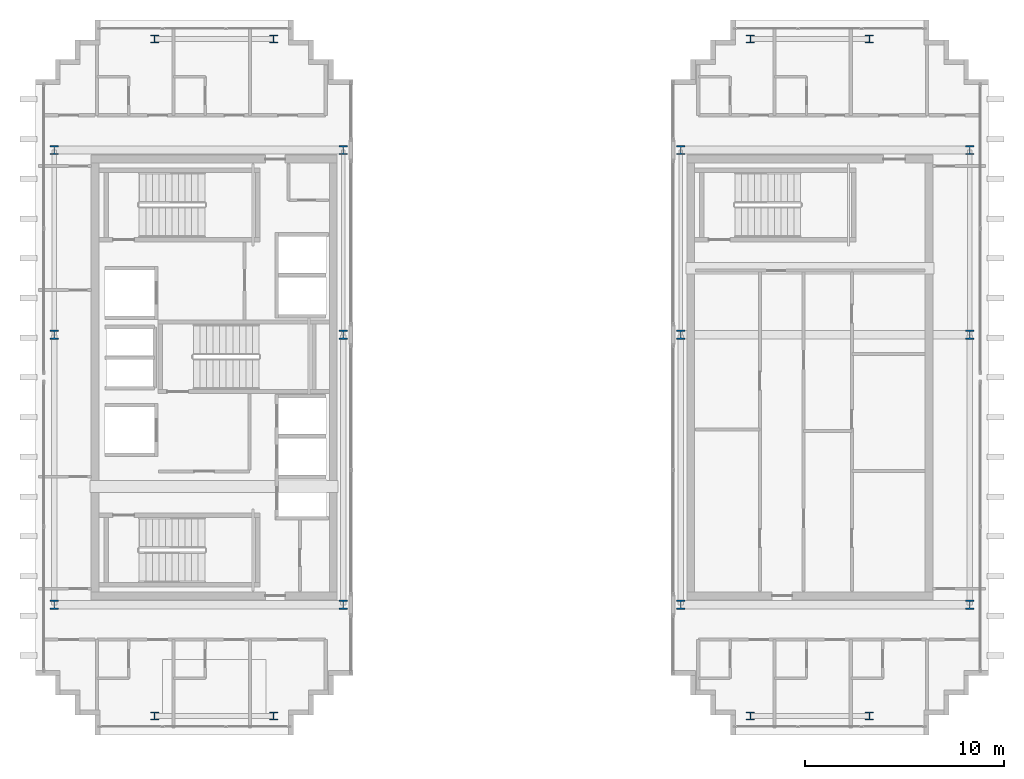
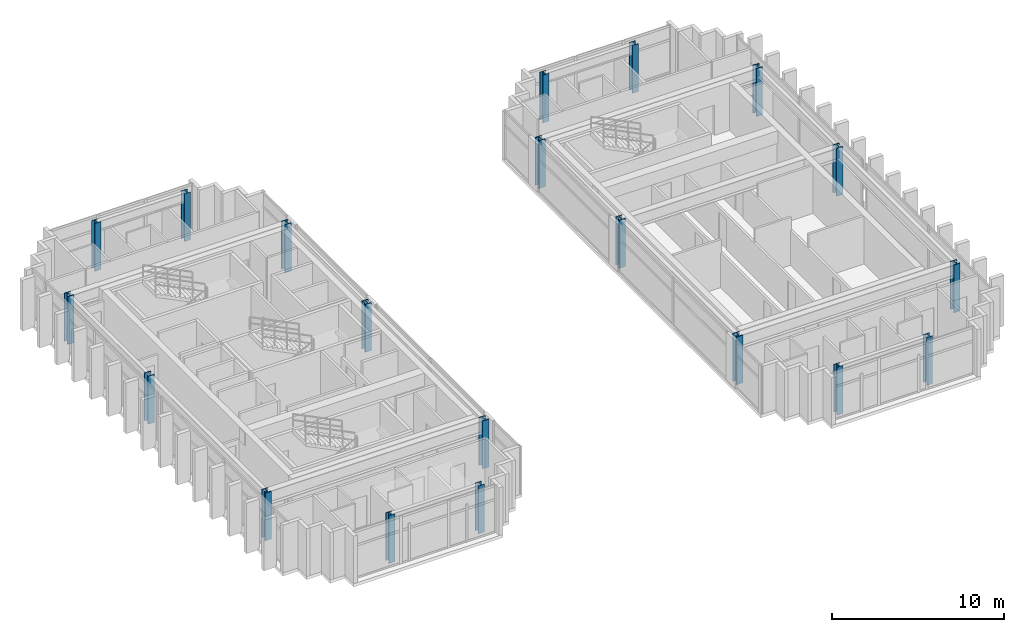
# One storey, part 1 of 25: 20 columns.
"""IFC4 building model written with IfcOpenShell, lengths in metres."""

from ifc_helpers import new_model, si_unit, direction, frame, origin, origin_2d, place, context, subcontext, project, spatial, i_section, extrude, source, transform, mapped, material, material_profile, profile_set, type_object, element, save


model = new_model("IFC4")

# Units and contexts
model_context = context("Model", 3, precision=1e-05, world=origin(), true_north=direction((0.0, 1.0)))
body_context = subcontext(model_context, "Body", "Model", "MODEL_VIEW")
ifc_project = project(units=[si_unit("LENGTHUNIT", "METRE"), si_unit("AREAUNIT", "SQUARE_METRE"), si_unit("VOLUMEUNIT", "CUBIC_METRE"), si_unit("PLANEANGLEUNIT", "RADIAN"), si_unit("MASSUNIT", "GRAM", prefix="KILO")], contexts=[model_context])

# Site, building, storey
site_placement = place(None, origin())
site = spatial("IfcSite", under=ifc_project, at=site_placement, CompositionType="ELEMENT")
building_placement = place(site_placement, origin())
building = spatial("IfcBuilding", under=site, at=building_placement, Name="Ocotamira Hotel", CompositionType="ELEMENT")
storey_placement = place(building_placement, frame((0.0, 0.0, 265.199951171875)))
storey = spatial("IfcBuildingStorey", under=building, at=storey_placement, Name="L67", CompositionType="ELEMENT", Elevation=265.199951171875)

# Columns
ifc_material_1 = material(Name="Steel ASTM A913 Grade 65", Category="steel")
ifc_material_profile_1 = material_profile(ifc_material_1, i_section(OverallWidth=0.422119140625, OverallDepth=0.465087890625, WebThickness=0.044921875, FlangeThickness=0.072509765625, FilletRadius=0.02490234375, at=origin_2d()), Name="W14X398")
ifc_profile_set_1 = profile_set([ifc_material_profile_1], Name="Steel ASTM A913 Grade 65")
column_type_1 = type_object("IfcColumnType", Name="COL-W14X398", PredefinedType="COLUMN", material=ifc_profile_set_1)
shared_shape_1 = source(origin(), body_context, "Body", "SweptSolid", [
    extrude(i_section(OverallWidth=0.422119140625, OverallDepth=0.465087890625, WebThickness=0.044921875, FlangeThickness=0.072509765625, FilletRadius=0.02490234375, at=origin_2d()), origin(), (0.0, 0.0, 1.0), 3.380126953125),
])
for number, where, z_axis, x_axis, name in (
    (1, (8.949951171875, 14.550048828125, 0.0), (0.0, 0.0, 1.0), (1.0, 0.0, 0.0), "L67 Column TW8_14"),
    (2, (23.5, 14.550048828125, 0.0), (0.0, 0.0, 1.0), (1.0, 0.0, 0.0), "L67 Column TW23_14"),
    (3, (40.5, 14.550048828125, 0.0), (0.0, 0.0, 1.0), (1.0, 0.0, 0.0), "L67 Column TE40_14"),
    (4, (55.050048828125, 14.550048828125, 0.0), (0.0, 0.0, 1.0), (1.0, 0.0, 0.0), "L67 Column TE55_14"),
    (5, (8.949951171875, 28.14990234375, 0.0), (0.0, 0.0, 1.0), (1.0, 0.0, 0.0), "L67 Column TW8_28"),
    (6, (23.5, 28.14990234375, 0.0), (0.0, 0.0, 1.0), (1.0, 0.0, 0.0), "L67 Column TW23_28"),
    (7, (40.5, 28.14990234375, 0.0), (0.0, 0.0, 1.0), (1.0, 0.0, 0.0), "L67 Column TE40_28"),
    (8, (55.050048828125, 28.14990234375, 0.0), (0.0, 0.0, 1.0), (1.0, 0.0, 0.0), "L67 Column TE55_28"),
    (9, (8.949951171875, 37.449951171875, 0.0), (0.0, 0.0, 1.0), (1.0, 0.0, 0.0), "L67 Column TW8_37"),
    (10, (23.5, 37.449951171875, 0.0), (0.0, 0.0, 1.0), (1.0, 0.0, 0.0), "L67 Column TW23_37"),
    (11, (40.5, 37.449951171875, 0.0), (0.0, 0.0, 1.0), (1.0, 0.0, 0.0), "L67 Column TE40_37"),
    (12, (55.050048828125, 37.449951171875, 0.0), (0.0, 0.0, 1.0), (1.0, 0.0, 0.0), "L67 Column TE55_37"),
):
    element("IfcColumn", number, at=place(storey_placement, frame(where, z_axis=z_axis, x_axis=x_axis)), inside=storey, type_object=column_type_1, Name=name, PredefinedType="COLUMN", context=body_context, shape_type="MappedRepresentation", body=[
        mapped(shared_shape_1, transform((0.0, 0.0, 0.0), scale=1.0)),
    ])
ifc_material_2 = material(Name="Steel ASTM A992 Grade 50", Category="steel")
ifc_material_profile_2 = material_profile(ifc_material_2, i_section(OverallWidth=0.39892578125, OverallDepth=0.386962890625, WebThickness=0.02099609375, FlangeThickness=0.033203125, FilletRadius=0.02490234375, at=origin_2d()), Name="W14X176")
ifc_profile_set_2 = profile_set([ifc_material_profile_2], Name="Steel ASTM A992 Grade 50")
column_type_2 = type_object("IfcColumnType", Name="COL-W14X176", PredefinedType="COLUMN", material=ifc_profile_set_2)
shared_shape_2 = source(origin(), body_context, "Body", "SweptSolid", [
    extrude(i_section(OverallWidth=0.39892578125, OverallDepth=0.386962890625, WebThickness=0.02099609375, FlangeThickness=0.033203125, FilletRadius=0.02490234375, at=origin_2d()), origin(), (0.0, 0.0, 1.0), 3.380126953125),
])
for number, where, z_axis, x_axis, name in (
    (13, (14.0, 8.949951171875, 0.0), (0.0, 0.0, 1.0), (1.0, 0.0, 0.0), "L67 Column NSP1_14"),
    (14, (20.0, 8.949951171875, 0.0), (0.0, 0.0, 1.0), (1.0, 0.0, 0.0), "L67 Column NSP1_20"),
    (15, (44.0, 8.949951171875, 0.0), (0.0, 0.0, 1.0), (1.0, 0.0, 0.0), "L67 Column NSP1_44"),
    (16, (50.0, 8.949951171875, 0.0), (0.0, 0.0, 1.0), (1.0, 0.0, 0.0), "L67 Column NSP1_50"),
    (17, (14.0, 43.050048828125, 0.0), (0.0, 0.0, 1.0), (1.0, 0.0, 0.0), "L67 Column NSP2_14"),
    (18, (20.0, 43.050048828125, 0.0), (0.0, 0.0, 1.0), (1.0, 0.0, 0.0), "L67 Column NSP2_20"),
    (19, (44.0, 43.050048828125, 0.0), (0.0, 0.0, 1.0), (1.0, 0.0, 0.0), "L67 Column NSP2_44"),
    (20, (50.0, 43.050048828125, 0.0), (0.0, 0.0, 1.0), (1.0, 0.0, 0.0), "L67 Column NSP2_50"),
):
    element("IfcColumn", number, at=place(storey_placement, frame(where, z_axis=z_axis, x_axis=x_axis)), inside=storey, type_object=column_type_2, Name=name, PredefinedType="COLUMN", context=body_context, shape_type="MappedRepresentation", body=[
        mapped(shared_shape_2, transform((0.0, 0.0, 0.0), scale=1.0)),
    ])

save(model, "model.ifc")
